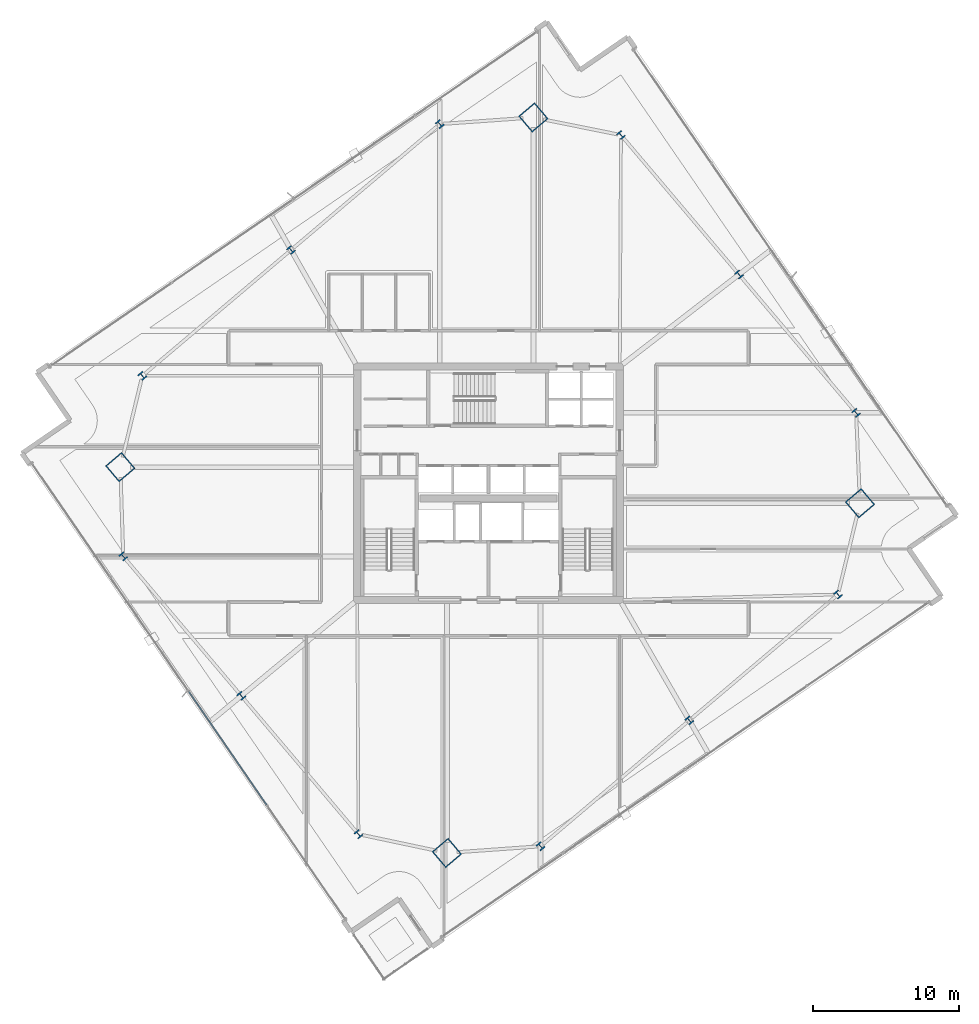
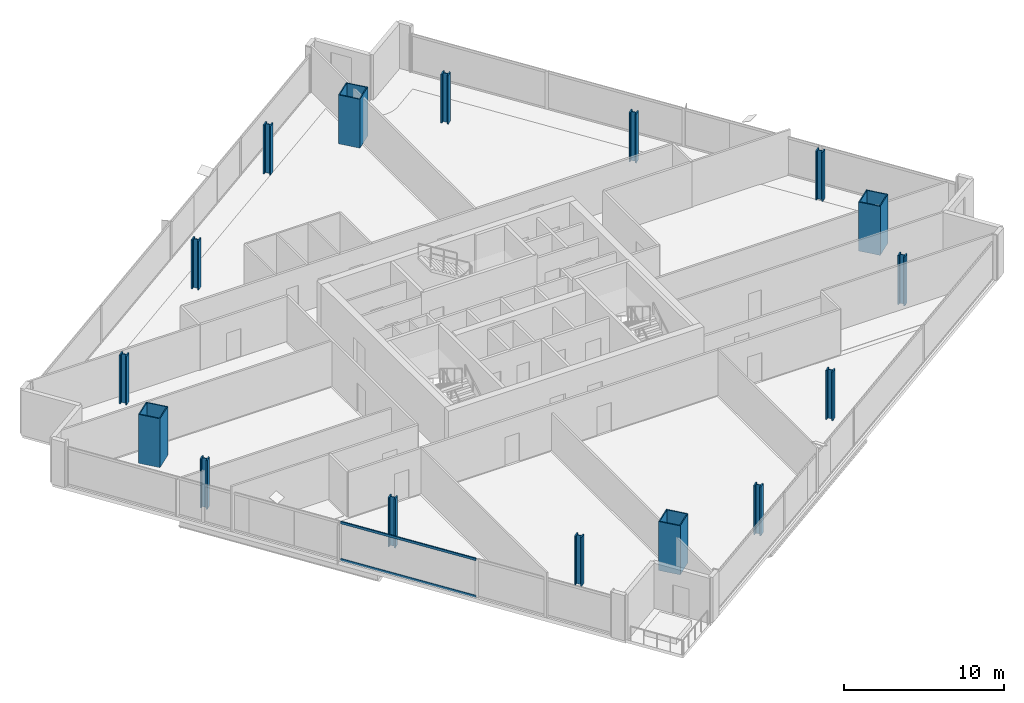
# One storey, part 1 of 29: 16 columns, 2 members, 1 element without a shape of its own.
"""IFC4 building model written with IfcOpenShell, lengths in metres."""

from ifc_helpers import new_model, si_unit, direction, frame, origin, origin_2d, place, context, subcontext, project, spatial, hollow_rectangle, i_section, extrude, material, material_profile, profile_set, type_object, element, aggregate, save


model = new_model("IFC4")

# Units and contexts
model_context = context("Model", 3, precision=1e-05, world=origin(), true_north=direction((0.0, 1.0)))
body_context = subcontext(model_context, "Body", "Model", "MODEL_VIEW")
ifc_project = project(units=[si_unit("LENGTHUNIT", "METRE"), si_unit("AREAUNIT", "SQUARE_METRE"), si_unit("VOLUMEUNIT", "CUBIC_METRE"), si_unit("PLANEANGLEUNIT", "RADIAN"), si_unit("MASSUNIT", "GRAM", prefix="KILO")], contexts=[model_context])

# Site, building, storey
site_placement = place(None, origin())
site = spatial("IfcSite", under=ifc_project, at=site_placement, CompositionType="ELEMENT")
building_placement = place(site_placement, origin())
building = spatial("IfcBuilding", under=site, at=building_placement, Name="Haldenkirk Collegiate Tower", CompositionType="ELEMENT")
storey_placement = place(building_placement, frame((0.0, 0.0, 144.449951171875)))
storey = spatial("IfcBuildingStorey", under=building, at=storey_placement, Name="L35", CompositionType="ELEMENT", Elevation=144.449951171875)

# Columns
ifc_material_1 = material(Name="Steel ASTM A913 Grade 65", Category="steel")
ifc_material_profile_1 = material_profile(ifc_material_1, i_section(OverallWidth=0.431884765625, OverallDepth=0.498046875, WebThickness=0.0556640625, FlangeThickness=0.0888671875, at=origin_2d()), Name="W14X500")
ifc_profile_set_1 = profile_set([ifc_material_profile_1], Name="Steel ASTM A913 Grade 65")
column_type_1 = type_object("IfcColumnType", Name="COL-INT-W14X500", PredefinedType="COLUMN", material=ifc_profile_set_1)
for number, where, z_axis, x_axis, name in (
    (1, (39.568603515625, 1.113525390625, 0.0), (0.0, 0.0, 1.0), (0.763232469783, 0.646123979643, 0.0), "L35 perimeter gravity column PC-S1"),
    (2, (49.762451171875, 9.7431640625, 0.0), (0.0, 0.0, 1.0), (0.763232469783, 0.646123979643, 0.0), "L35 perimeter gravity column PC-S2"),
    (3, (59.956298828125, 18.372802734375, 0.0), (0.0, 0.0, 1.0), (0.763232469783, 0.646123979643, 0.0), "L35 perimeter gravity column PC-S3"),
    (4, (61.199462890625, 30.82421875, 0.0), (0.0, 0.0, 1.0), (0.763232469783, 0.646123979643, 0.0), "L35 perimeter gravity column PC-E1"),
    (5, (53.17138671875, 40.307373046875, 0.0), (0.0, 0.0, 1.0), (0.763232469783, 0.646123979643, 0.0), "L35 perimeter gravity column PC-E2"),
    (6, (45.079833984375, 49.865234375, 0.0), (0.0, 0.0, 1.0), (0.763232469783, 0.646123979643, 0.0), "L35 perimeter gravity column PC-E3"),
    (7, (32.657470703125, 50.619384765625, 0.0), (0.0, 0.0, 1.0), (0.763232469783, 0.646123979643, 0.0), "L35 perimeter gravity column PC-N1"),
    (8, (22.463623046875, 41.98974609375, 0.0), (0.0, 0.0, 1.0), (0.763232469783, 0.646123979643, 0.0), "L35 perimeter gravity column PC-N2"),
    (9, (12.27001953125, 33.360107421875, 0.0), (0.0, 0.0, 1.0), (0.763232469783, 0.646123979643, 0.0), "L35 perimeter gravity column PC-N3"),
    (10, (10.96337890625, 20.9833984375, 0.0), (0.0, 0.0, 1.0), (0.763232469783, 0.646123979643, 0.0), "L35 perimeter gravity column PC-W1"),
    (11, (19.0546875, 11.425537109375, 0.0), (0.0, 0.0, 1.0), (0.763232469783, 0.646123979643, 0.0), "L35 perimeter gravity column PC-W2"),
    (12, (27.0830078125, 1.9423828125, 0.0), (0.0, 0.0, 1.0), (0.763232469783, 0.646123979643, 0.0), "L35 perimeter gravity column PC-W3"),
):
    element("IfcColumn", number, at=place(storey_placement, frame(where, z_axis=z_axis, x_axis=x_axis)), inside=storey, type_object=column_type_1, Name=name, PredefinedType="COLUMN", context=body_context, shape_type="SweptSolid", body=[
        extrude(i_section(OverallWidth=0.431884765625, OverallDepth=0.498046875, WebThickness=0.0556640625, FlangeThickness=0.0888671875, at=origin_2d()), origin(), (0.0, 0.0, 1.0), 3.75),
    ])
ifc_material_2 = material(Name="Steel ASTM A572 Grade 50", Category="steel")
ifc_material_profile_2 = material_profile(ifc_material_2, hollow_rectangle(XDim=1.449951171875, YDim=1.449951171875, WallThickness=0.070068359375, at=origin_2d()), Name="BOX1450X1450X70")
ifc_profile_set_2 = profile_set([ifc_material_profile_2], Name="Steel ASTM A572 Grade 50")
column_type_2 = type_object("IfcColumnType", Name="COL-MEGA-BOX1450X1450X70", PredefinedType="COLUMN", material=ifc_profile_set_2)
for number, where, z_axis, x_axis, name in (
    (13, (33.149169921875, 0.65771484375, 0.0), (0.0, 0.0, 1.0), (0.763232469783, 0.646123979643, 0.0), "L35 corner mega-column MC1"),
    (14, (61.465087890625, 24.62890625, 0.0), (0.0, 0.0, 1.0), (0.763232469783, 0.646123979643, 0.0), "L35 corner mega-column MC2"),
    (15, (39.076904296875, 51.074951171875, 0.0), (0.0, 0.0, 1.0), (0.763232469783, 0.646123979643, 0.0), "L35 corner mega-column MC3"),
    (16, (10.760986328125, 27.103759765625, 0.0), (0.0, 0.0, 1.0), (0.763232469783, 0.646123979643, 0.0), "L35 corner mega-column MC4"),
):
    element("IfcColumn", number, at=place(storey_placement, frame(where, z_axis=z_axis, x_axis=x_axis)), inside=storey, type_object=column_type_2, Name=name, PredefinedType="COLUMN", context=body_context, shape_type="SweptSolid", body=[
        extrude(hollow_rectangle(XDim=1.449951171875, YDim=1.449951171875, WallThickness=0.070068359375, at=origin_2d()), origin(), (0.0, 0.0, 1.0), 3.75),
    ])

# Curtain wall, members
ifc_material_3 = material(Name="Anodised architectural bronze aluminium", Category="aluminium")
curtain_wall_type = type_object("IfcCurtainWallType", Name="CW-SYS1-CONVEX-LOW", PredefinedType="USERDEFINED", material=ifc_material_3)
curtain_wall_placement = place(storey_placement, origin())
curtain_wall = element("IfcCurtainWall", 17, at=curtain_wall_placement, inside=storey, type_object=curtain_wall_type, Name="L35 Lower tower convex bronze-framed unitised curtain wall", ObjectType="UNITISED CURTAIN WALL", PredefinedType="USERDEFINED")
ifc_material_profile_3 = material_profile(ifc_material_3, hollow_rectangle(XDim=0.080078125, YDim=0.179931640625, WallThickness=0.0048828125, at=origin_2d()), Name="CW-TRN-1A")
ifc_profile_set_3 = profile_set([ifc_material_profile_3], Name="Anodised architectural bronze aluminium")
member_type = type_object("IfcMemberType", Name="CW-TRN-1A", PredefinedType="USERDEFINED", material=ifc_profile_set_3)
member_1_placement = place(storey_placement, frame((20.795166015625, 3.949951171875, 0.0400390625), z_axis=(-0.566403421849, 0.824128123363, 0.0), x_axis=(-0.824128123363, -0.566403421849, 0.0)))
member_1 = element("IfcMember", 18, at=member_1_placement, type_object=member_type, Name="CW-1A transom 2.1", ObjectType="TRANSOM", PredefinedType="USERDEFINED", context=body_context, shape_type="SweptSolid", body=[
    extrude(hollow_rectangle(XDim=0.080078125, YDim=0.179931640625, WallThickness=0.0048828125, at=origin_2d()), origin(), (0.0, 0.0, 1.0), 9.419921875),
])
member_2_placement = place(storey_placement, frame((20.795166015625, 3.949951171875, 2.87109375), z_axis=(-0.566403421849, 0.824128123363, 0.0), x_axis=(-0.824128123363, -0.566403421849, 0.0)))
member_2 = element("IfcMember", 19, at=member_2_placement, type_object=member_type, Name="CW-1A transom 2.2", ObjectType="TRANSOM", PredefinedType="USERDEFINED", context=body_context, shape_type="SweptSolid", body=[
    extrude(hollow_rectangle(XDim=0.080078125, YDim=0.179931640625, WallThickness=0.0048828125, at=origin_2d()), origin(), (0.0, 0.0, 1.0), 9.419921875),
])
aggregate(curtain_wall, [member_1, member_2])

save(model, "model.ifc")
